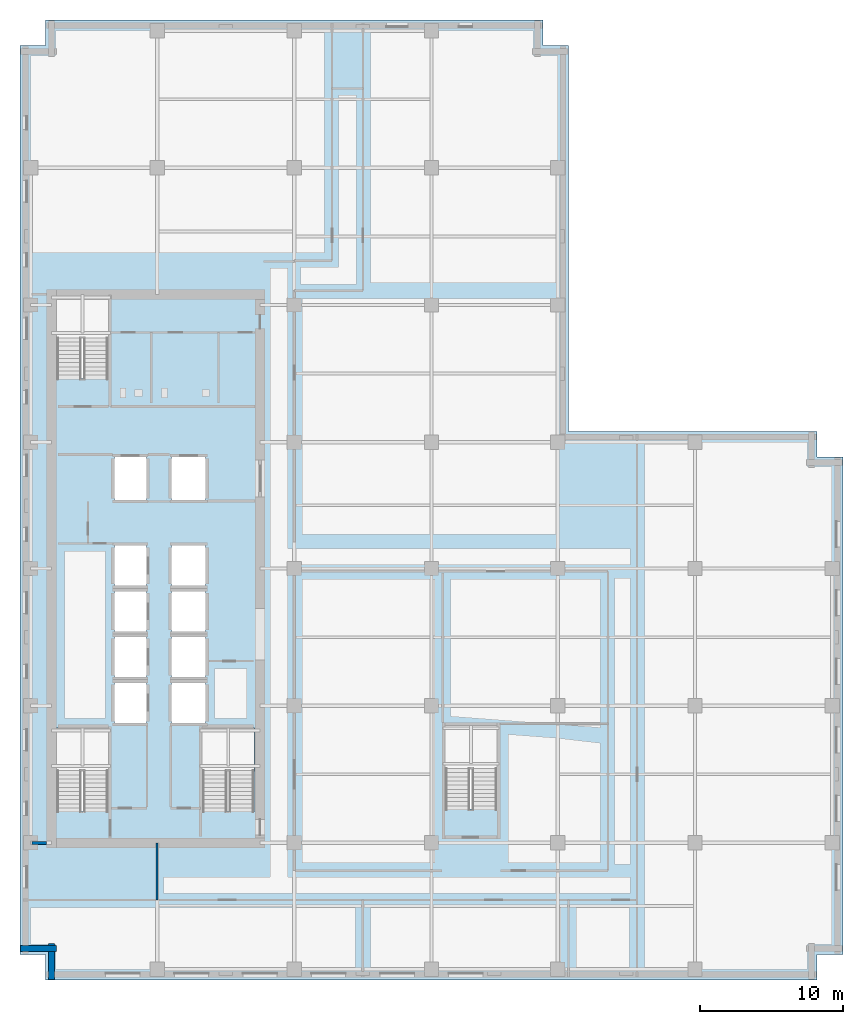
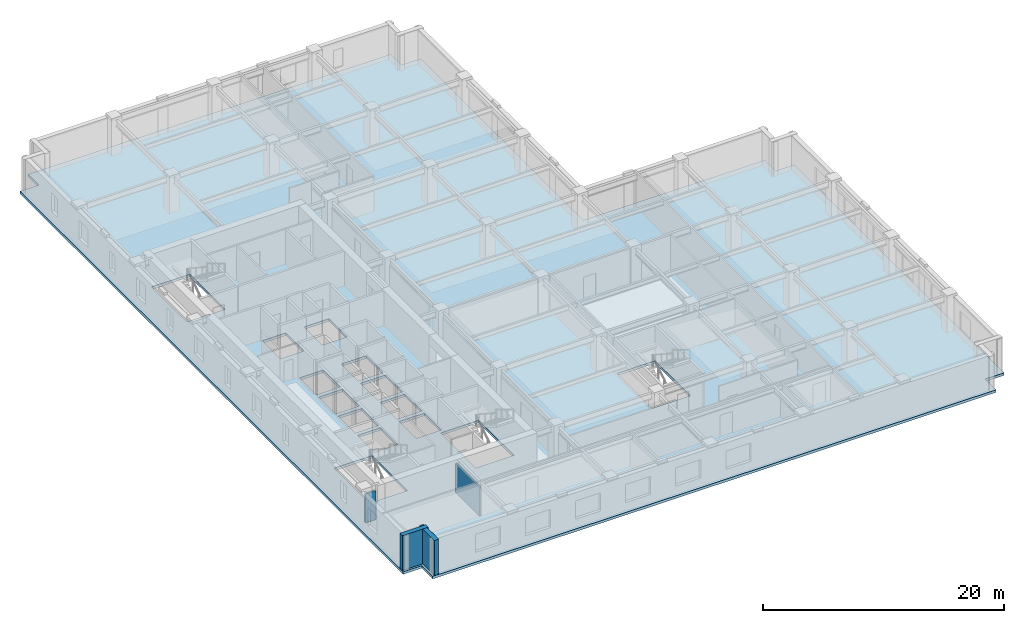
# One storey, part 3 of 13: 4 walls, 1 slab.
"""IFC4 building model written with IfcOpenShell, lengths in metres."""

from ifc_helpers import new_model, si_unit, direction, frame, frame_2d, origin, place, context, subcontext, project, spatial, polyline, rectangle, outline, extrude, material, layer, layer_set, type_object, element, save


model = new_model("IFC4")

# Units and contexts
model_context = context("Model", 3, precision=1e-05, world=origin(), true_north=direction((0.0, 1.0)))
body_context = subcontext(model_context, "Body", "Model", "MODEL_VIEW")
ifc_project = project(units=[si_unit("LENGTHUNIT", "METRE"), si_unit("AREAUNIT", "SQUARE_METRE"), si_unit("VOLUMEUNIT", "CUBIC_METRE"), si_unit("PLANEANGLEUNIT", "RADIAN"), si_unit("MASSUNIT", "GRAM", prefix="KILO")], contexts=[model_context])

# Site, building, storey
site_placement = place(None, origin())
site = spatial("IfcSite", under=ifc_project, at=site_placement, CompositionType="ELEMENT")
building_placement = place(site_placement, origin())
building = spatial("IfcBuilding", under=site, at=building_placement, Name="Norrvale University Quadrangle", CompositionType="ELEMENT")
storey_placement = place(building_placement, frame((0.0, 0.0, 131.800048828125)))
storey = spatial("IfcBuildingStorey", under=building, at=storey_placement, Name="L33", CompositionType="ELEMENT", Elevation=131.800048828125)

# Slab
ifc_material_1 = material(Name="Concrete C40/50", Category="concrete")
ifc_layer_1 = layer(ifc_material_1, 0.260009765625, Name="Concrete C40/50")
ifc_layer_set_1 = layer_set([ifc_layer_1], Name="Concrete C40/50")
slab_type = type_object("IfcSlabType", Name="Slab Tower Typ 260", PredefinedType="FLOOR", material=ifc_layer_set_1)
slab_placement = place(storey_placement, frame((0.0, 0.0, -0.260009765625)))
element("IfcSlab", 1, at=slab_placement, inside=storey, type_object=slab_type, Name="Tower L33 Floor Slab", PredefinedType="FLOOR", context=body_context, shape_type="SweptSolid", body=[
    extrude(outline(polyline([(1.800048828125, 0.0), (55.800048828125, 0.0), (55.800048828125, 1.800048828125), (57.60009765625, 1.800048828125), (57.60009765625, 36.60009765625), (55.800048828125, 36.60009765625), (55.800048828125, 38.39990234375), (38.39990234375, 38.39990234375), (38.39990234375, 65.39990234375), (36.60009765625, 65.39990234375), (36.60009765625, 67.199951171875), (1.800048828125, 67.199951171875), (1.800048828125, 65.39990234375), (0.0, 65.39990234375), (0.0, 1.800048828125), (1.800048828125, 1.800048828125), (1.800048828125, 0.0)]), holes=[polyline([(2.550048828125, 11.81005859375), (6.199951171875, 11.81005859375), (6.199951171875, 17.64990234375), (2.550048828125, 17.64990234375), (2.550048828125, 11.81005859375)]), polyline([(2.550048828125, 42.110107421875), (6.199951171875, 42.110107421875), (6.199951171875, 47.949951171875), (2.550048828125, 47.949951171875), (2.550048828125, 42.110107421875)]), polyline([(12.75, 11.81005859375), (16.39990234375, 11.81005859375), (16.39990234375, 17.64990234375), (12.75, 17.64990234375), (12.75, 11.81005859375)]), polyline([(29.75, 11.9599609375), (33.39990234375, 11.9599609375), (33.39990234375, 17.800048828125), (29.75, 17.800048828125), (29.75, 11.9599609375)]), polyline([(6.60009765625, 18.0), (8.85009765625, 18.0), (8.85009765625, 20.800048828125), (6.60009765625, 20.800048828125), (6.60009765625, 18.0)]), polyline([(6.60009765625, 21.199951171875), (8.85009765625, 21.199951171875), (8.85009765625, 24.0), (6.60009765625, 24.0), (6.60009765625, 21.199951171875)]), polyline([(6.60009765625, 24.39990234375), (8.85009765625, 24.39990234375), (8.85009765625, 27.199951171875), (6.60009765625, 27.199951171875), (6.60009765625, 24.39990234375)]), polyline([(6.60009765625, 27.60009765625), (8.85009765625, 27.60009765625), (8.85009765625, 30.39990234375), (6.60009765625, 30.39990234375), (6.60009765625, 27.60009765625)]), polyline([(10.60009765625, 18.0), (13.0, 18.0), (13.0, 20.800048828125), (10.60009765625, 20.800048828125), (10.60009765625, 18.0)]), polyline([(10.60009765625, 21.199951171875), (13.0, 21.199951171875), (13.0, 24.0), (10.60009765625, 24.0), (10.60009765625, 21.199951171875)]), polyline([(10.60009765625, 24.39990234375), (13.0, 24.39990234375), (13.0, 27.199951171875), (10.60009765625, 27.199951171875), (10.60009765625, 24.39990234375)]), polyline([(10.60009765625, 27.60009765625), (13.0, 27.60009765625), (13.0, 30.39990234375), (10.60009765625, 30.39990234375), (10.60009765625, 27.60009765625)]), polyline([(6.60009765625, 33.60009765625), (8.85009765625, 33.60009765625), (8.85009765625, 36.60009765625), (6.60009765625, 36.60009765625), (6.60009765625, 33.60009765625)]), polyline([(10.60009765625, 33.60009765625), (13.0, 33.60009765625), (13.0, 36.60009765625), (10.60009765625, 36.60009765625), (10.60009765625, 33.60009765625)])]), origin(), (0.0, 0.0, 1.0), 0.260009765625),
])

# Walls
ifc_material_2 = material(Name="Buff Norman Clay Brick Masonry", Category="masonry")
ifc_layer_2 = layer(ifc_material_2, 0.419921875, Name="Buff Norman Clay Brick Masonry")
ifc_layer_set_2 = layer_set([ifc_layer_2], Name="Buff Norman Clay Brick Masonry")
wall_type_1 = type_object("IfcWallType", Name="Wall Buff Brick 420", PredefinedType="SOLIDWALL", material=ifc_layer_set_2)
for number, where, z_axis, x_axis, name in (
    (2, (0.0400390625, 2.18994140625, 0.0), (0.0, 0.0, 1.0), (1.0, 0.0, 0.0), "Exterior Brick Facade Wall L33-15.1"),
    (3, (2.18994140625, 2.5400390625, 0.0), (0.0, 0.0, 1.0), (0.0, -1.0, 0.0), "Exterior Brick Facade Wall L33-16.1"),
):
    element("IfcWall", number, at=place(storey_placement, frame(where, z_axis=z_axis, x_axis=x_axis)), inside=storey, type_object=wall_type_1, Name=name, PredefinedType="SOLIDWALL", context=body_context, shape_type="SweptSolid", body=[
        extrude(rectangle(XDim=2.5, YDim=0.419921875, at=frame_2d((1.25, 0.0))), origin(), (0.0, 0.0, 1.0), 3.5400390625),
    ])
ifc_material_3 = material(Name="Fire-Rated Gypsum Stud Partition")
ifc_layer_3 = layer(ifc_material_3, 0.14990234375, Name="Fire-Rated Gypsum Stud Partition")
ifc_layer_set_3 = layer_set([ifc_layer_3], Name="Fire-Rated Gypsum Stud Partition")
wall_type_2 = type_object("IfcWallType", Name="Wall Gypsum Corridor 150", PredefinedType="PARTITIONING", material=ifc_layer_set_3)
wall_1_placement = place(storey_placement, frame((9.60009765625, 5.60009765625, 0.0), z_axis=(0.0, 0.0, 1.0), x_axis=(0.0, 1.0, 0.0)))
element("IfcWall", 4, at=wall_1_placement, inside=storey, type_object=wall_type_2, Name="Interior Partition WL-L33-CSW-END", PredefinedType="PARTITIONING", context=body_context, shape_type="SweptSolid", body=[
    extrude(rectangle(XDim=4.0, YDim=0.14990234375, at=frame_2d((2.0, 0.0))), origin(), (0.0, 0.0, 1.0), 2.9228515625),
])
ifc_material_4 = material(Name="Concrete Blockwork 20 MPa Rated Wall", Category="masonry")
ifc_layer_4 = layer(ifc_material_4, 0.199951171875, Name="Concrete Blockwork 20 MPa Rated Wall")
ifc_layer_set_4 = layer_set([ifc_layer_4], Name="Concrete Blockwork 20 MPa Rated Wall")
wall_type_3 = type_object("IfcWallType", Name="Wall Lobby 200", PredefinedType="SOLIDWALL", material=ifc_layer_set_4)
wall_2_placement = place(storey_placement, frame((0.85009765625, 9.60009765625, 0.0), z_axis=(0.0, 0.0, 1.0), x_axis=(1.0, 0.0, 0.0)))
element("IfcWall", 5, at=wall_2_placement, inside=storey, type_object=wall_type_3, Name="Interior Partition WL-L33-CWRET-S", PredefinedType="SOLIDWALL", context=body_context, shape_type="SweptSolid", body=[
    extrude(rectangle(XDim=0.994873046875, YDim=0.199951171875, at=frame_2d((0.49755859375, 0.0))), origin(), (0.0, 0.0, 1.0), 2.9228515625),
])

save(model, "model.ifc")
